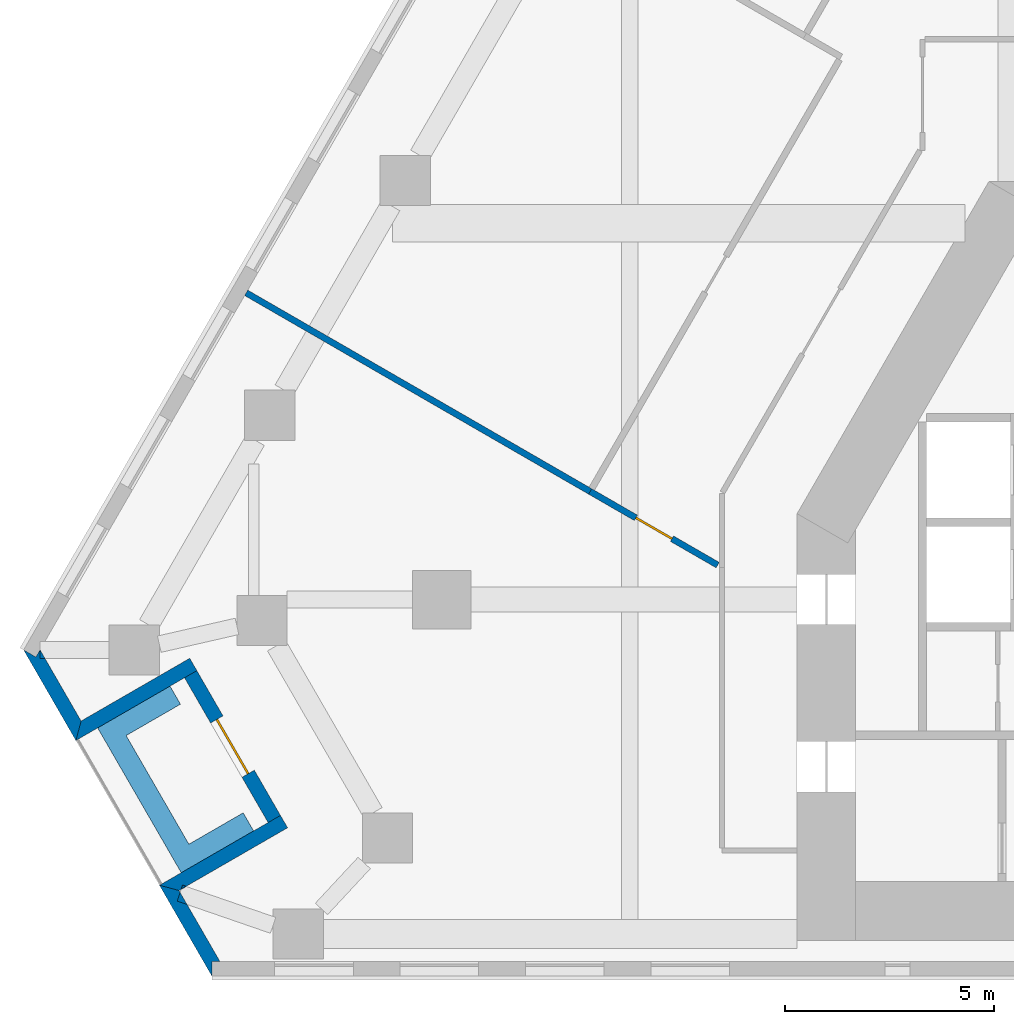
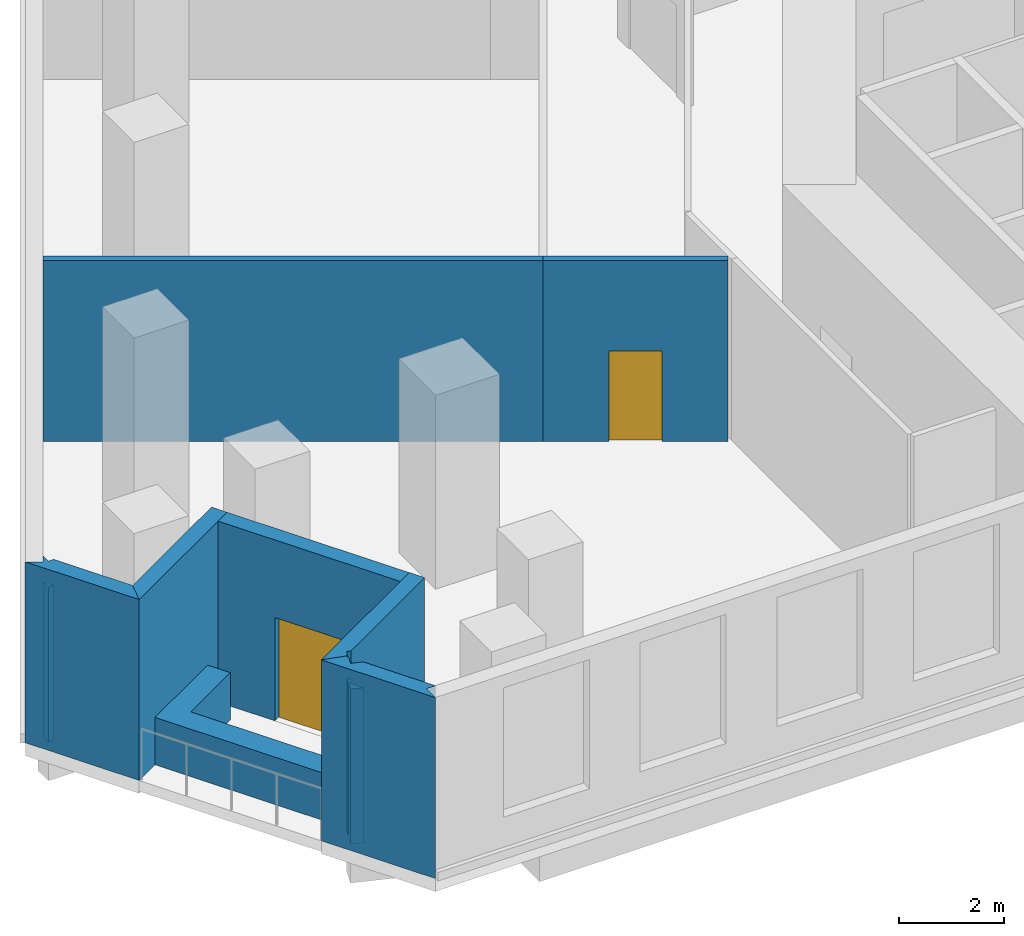
# One storey, part 3 of 14: 11 walls, 2 doors, 2 openings.
"""IFC4 building model written with IfcOpenShell, lengths in metres."""

from ifc_helpers import new_model, si_unit, direction, frame, frame_2d, origin, place, context, subcontext, project, spatial, polyline, rectangle, outline, extrude, material, layer, layer_set, type_object, element, fill, save


model = new_model("IFC4")

# Units and contexts
model_context = context("Model", 3, precision=1e-05, world=origin(), true_north=direction((0.0, 1.0)))
body_context = subcontext(model_context, "Body", "Model", "MODEL_VIEW")
ifc_project = project(units=[si_unit("LENGTHUNIT", "METRE"), si_unit("AREAUNIT", "SQUARE_METRE"), si_unit("VOLUMEUNIT", "CUBIC_METRE"), si_unit("PLANEANGLEUNIT", "RADIAN"), si_unit("MASSUNIT", "GRAM", prefix="KILO")], contexts=[model_context])

# Site, building, storey
site_placement = place(None, origin())
site = spatial("IfcSite", under=ifc_project, at=site_placement, CompositionType="ELEMENT")
building_placement = place(site_placement, origin())
building = spatial("IfcBuilding", under=site, at=building_placement, Name="Fogline Exchange Tower", CompositionType="ELEMENT")
storey_placement = place(building_placement, frame((0.0, 0.0, 29.5)))
storey = spatial("IfcBuildingStorey", under=building, at=storey_placement, Name="L05", CompositionType="ELEMENT", Elevation=29.5)

# Walls
ifc_material_1 = material(Name="Brick masonry", Category="masonry")
ifc_layer_1 = layer(ifc_material_1, 0.340087890625)
ifc_layer_set_1 = layer_set([ifc_layer_1], Name="FW1")
wall_type_1 = type_object("IfcWallType", Name="FW1", PredefinedType="SOLIDWALL", material=ifc_layer_set_1)
wall_1_placement = place(storey_placement, origin())
element("IfcWall", 1, at=wall_1_placement, inside=storey, type_object=wall_type_1, Name="Brick wall L05 SW-c1", PredefinedType="SOLIDWALL", context=body_context, shape_type="SweptSolid", body=[
    extrude(outline(polyline([(-31.9912109375, 7.59423828125), (-32.107421875, 7.59423828125), (-32.107421875, 7.79541015625), (-31.9912109375, 7.59423828125)])), origin(), (0.0, 0.0, 1.0), 3.60009765625),
])
wall_2_placement = place(storey_placement, origin())
element("IfcWall", 2, at=wall_2_placement, inside=storey, type_object=wall_type_1, Name="Brick wall L05 SW-c1", PredefinedType="SOLIDWALL", context=body_context, shape_type="SweptSolid", body=[
    extrude(outline(polyline([(-32.5009765625, 7.794921875), (-32.500732421875, 7.79541015625), (-32.205810546875, 7.625), (-32.107421875, 7.79541015625), (-32.107421875, 7.59423828125), (-31.9912109375, 7.59423828125), (-31.125, 6.09375), (-31.249755859375, 5.6279296875), (-31.25, 5.6279296875), (-32.5009765625, 7.794921875)])), origin(), (0.0, 0.0, 1.0), 4.199951171875),
])
wall_3_placement = place(storey_placement, origin())
element("IfcWall", 3, at=wall_3_placement, inside=storey, type_object=wall_type_1, Name="Brick wall L05 SW-s1", PredefinedType="SOLIDWALL", context=body_context, shape_type="SweptSolid", body=[
    extrude(outline(polyline([(-28.52734375, 7.594482421875), (-28.356689453125, 7.298828125), (-28.651611328125, 7.128662109375), (-31.25048828125, 5.628173828125), (-31.250732421875, 5.62841796875), (-31.1259765625, 6.093994140625), (-28.52734375, 7.594482421875)])), origin(), (0.0, 0.0, 1.0), 4.199951171875),
])

# Wall, opening, door
wall_4_placement = place(storey_placement, frame((-28.504638671875, 7.214111328125, 0.0), z_axis=(0.0, 0.0, 1.0), x_axis=(0.49999894854, -0.866026010844, 0.0)))
wall_4 = element("IfcWall", 4, at=wall_4_placement, inside=storey, type_object=wall_type_1, Name="Brick wall L05 SW-bk", PredefinedType="SOLIDWALL", context=body_context, shape_type="SweptSolid", body=[
    extrude(rectangle(XDim=4.0, YDim=0.340087890625, at=frame_2d((2.0, 0.0))), origin(), (0.0, 0.0, 1.0), 4.199951171875),
])
opening_1_placement = place(wall_4_placement, frame((1.25, 0.0, 0.0)))
opening_1 = element("IfcOpeningElement", 5, at=opening_1_placement, cuts=wall_4, Name="Opening T01-E021", PredefinedType="OPENING", context=body_context, shape_type="SweptSolid", body=[
    extrude(rectangle(XDim=1.5, YDim=2.39990234375, at=frame_2d((0.75, 1.199951171875))), frame((0.0, 0.18017578125, 0.0), z_axis=(0.0, -1.0, 0.0), x_axis=(1.0, 0.0, 0.0)), (0.0, 0.0, 1.0), 0.360107421875),
])
ifc_material_2 = material(Name="Aluminium and glass", Category="aluminium")
door_type_1 = type_object("IfcDoorType", Name="ED4", OperationType="SINGLE_SWING_LEFT", PredefinedType="DOOR", material=ifc_material_2)
door_1_placement = place(opening_1_placement, frame((1.5, 0.0, 0.0), z_axis=(0.0, 0.0, 1.0), x_axis=(-1.0, 0.0, 0.0)))
door_1 = element("IfcDoor", 6, at=door_1_placement, inside=storey, type_object=door_type_1, Name="Balcony door L05 SW", OperationType="DOUBLE_DOOR_SINGLE_SWING", OverallHeight=2.39990234375, OverallWidth=1.5, PredefinedType="DOOR", context=body_context, shape_type="SweptSolid", body=[
    extrude(rectangle(XDim=1.5, YDim=2.39990234375, at=frame_2d((0.75, 1.199951171875))), frame((0.0, 0.02490234375, 0.0), z_axis=(0.0, -1.0, 0.0), x_axis=(1.0, 0.0, 0.0)), (0.0, 0.0, 1.0), 0.050048828125),
])
fill(opening_1, door_1)

# Walls
wall_5_placement = place(storey_placement, origin())
element("IfcWall", 7, at=wall_5_placement, inside=storey, type_object=wall_type_1, Name="Brick wall L05 SW-s2", PredefinedType="SOLIDWALL", context=body_context, shape_type="SweptSolid", body=[
    extrude(outline(polyline([(-28.7294921875, 2.072265625), (-28.697265625, 2.16552734375), (-28.616455078125, 2.1376953125), (-28.7294921875, 2.072265625)])), origin(), (0.0, 0.0, 1.0), 3.60009765625),
])
wall_6_placement = place(storey_placement, origin())
element("IfcWall", 8, at=wall_6_placement, inside=storey, type_object=wall_type_1, Name="Brick wall L05 SW-s2", PredefinedType="SOLIDWALL", context=body_context, shape_type="SweptSolid", body=[
    extrude(outline(polyline([(-26.652099609375, 3.66552734375), (-26.357177734375, 3.8359375), (-26.186767578125, 3.540283203125), (-28.616455078125, 2.1376953125), (-28.697265625, 2.16552734375), (-28.7294921875, 2.072265625), (-28.785400390625, 2.0400390625), (-29.251220703125, 2.164794921875), (-29.251220703125, 2.1650390625), (-26.652099609375, 3.66552734375)])), origin(), (0.0, 0.0, 1.0), 4.199951171875),
])
wall_7_placement = place(storey_placement, origin())
element("IfcWall", 9, at=wall_7_placement, inside=storey, type_object=wall_type_1, Name="Brick wall L05 SW-c2", PredefinedType="SOLIDWALL", context=body_context, shape_type="SweptSolid", body=[
    extrude(outline(polyline([(-28.591552734375, 1.705810546875), (-28.827880859375, 1.787353515625), (-28.757080078125, 1.992431640625), (-28.591552734375, 1.705810546875)])), origin(), (0.0, 0.0, 1.0), 3.60009765625),
])
wall_8_placement = place(storey_placement, origin())
element("IfcWall", 10, at=wall_8_placement, inside=storey, type_object=wall_type_1, Name="Brick wall L05 SW-c2", PredefinedType="SOLIDWALL", context=body_context, shape_type="SweptSolid", body=[
    extrude(outline(polyline([(-27.99951171875, 0.33935546875), (-27.99951171875, -0.0009765625), (-28.0, -0.001220703125), (-29.2509765625, 2.165771484375), (-29.2509765625, 2.166015625), (-28.78515625, 2.041015625), (-28.757080078125, 1.992431640625), (-28.827880859375, 1.787353515625), (-28.591552734375, 1.705810546875), (-27.802734375, 0.33935546875), (-27.99951171875, 0.33935546875)])), origin(), (0.0, 0.0, 1.0), 4.199951171875),
])
ifc_material_3 = material(Name="Concrete C30", Category="concrete")
ifc_layer_2 = layer(ifc_material_3, 0.199951171875)
ifc_layer_set_2 = layer_set([ifc_layer_2], Name="PL1")
wall_type_2 = type_object("IfcWallType", Name="PL1", PredefinedType="USERDEFINED", material=ifc_layer_set_2)
wall_9_placement = place(storey_placement, origin())
element("IfcWall", 11, at=wall_9_placement, inside=storey, type_object=wall_type_2, Name="PLANTER balcony L05 SW", ObjectType="PLANTER", PredefinedType="USERDEFINED", context=body_context, shape_type="SweptSolid", body=[
    extrude(outline(polyline([(-27.248291015625, 3.898193359375), (-28.54736328125, 3.148193359375), (-30.04736328125, 5.74609375), (-28.748291015625, 6.49609375), (-28.998291015625, 6.92919921875), (-30.73046875, 5.92919921875), (-30.48046875, 5.49609375), (-28.73046875, 2.465087890625), (-28.29736328125, 2.715087890625), (-28.29736328125, 2.715087890625), (-26.998291015625, 3.465087890625), (-27.248291015625, 3.898193359375)])), origin(), (0.0, 0.0, 1.0), 1.10009765625),
])

# Wall, opening, door
ifc_material_4 = material(Name="Plasterboard demising partition with mineral wool and acoustic board")
ifc_layer_3 = layer(ifc_material_4, 0.14990234375)
ifc_layer_set_3 = layer_set([ifc_layer_3], Name="PW3")
wall_type_3 = type_object("IfcWallType", Name="PW3", PredefinedType="PARTITIONING", material=ifc_layer_set_3)
wall_10_placement = place(storey_placement, frame((-15.900390625, 9.823974609375, 0.0), z_axis=(0.0, 0.0, 1.0), x_axis=(-0.866058575552, 0.499942540411, 0.0)))
wall_10 = element("IfcWall", 12, at=wall_10_placement, inside=storey, type_object=wall_type_3, Name="wall-L05-W035", PredefinedType="PARTITIONING", context=body_context, shape_type="SweptSolid", body=[
    extrude(rectangle(XDim=3.52099609375, YDim=0.14990234375, at=frame_2d((1.760498046875, 0.0))), origin(), (0.0, 0.0, 1.0), 4.199951171875),
])
opening_2_placement = place(wall_10_placement, frame((1.260498046875, 0.0, 0.0)))
opening_2 = element("IfcOpeningElement", 13, at=opening_2_placement, cuts=wall_10, Name="Opening T01-D013", PredefinedType="OPENING", context=body_context, shape_type="SweptSolid", body=[
    extrude(rectangle(XDim=1.0, YDim=2.10009765625, at=frame_2d((0.5, 1.050048828125))), frame((0.0, 0.0849609375, 0.0), z_axis=(0.0, -1.0, 0.0), x_axis=(1.0, 0.0, 0.0)), (0.0, 0.0, 1.0), 0.169921875),
])
ifc_material_5 = material(Name="Fire-rated timber door leaf with steel frame", Category="steel")
door_type_2 = type_object("IfcDoorType", Name="D3", OperationType="SINGLE_SWING_LEFT", PredefinedType="DOOR", material=ifc_material_5)
door_2_placement = place(opening_2_placement, origin())
door_2 = element("IfcDoor", 14, at=door_2_placement, inside=storey, type_object=door_type_2, Name="door-L05-D013", OperationType="SINGLE_SWING_RIGHT", OverallHeight=2.10009765625, OverallWidth=1.0, PredefinedType="DOOR", context=body_context, shape_type="SweptSolid", body=[
    extrude(rectangle(XDim=1.0, YDim=2.10009765625, at=frame_2d((0.5, 1.050048828125))), frame((0.0, 0.02490234375, 0.0), z_axis=(0.0, -1.0, 0.0), x_axis=(1.0, 0.0, 0.0)), (0.0, 0.0, 1.0), 0.050048828125),
])
fill(opening_2, door_2)

# Wall
wall_11_placement = place(storey_placement, frame((-18.94970703125, 11.584228515625, 0.0), z_axis=(0.0, 0.0, 1.0), x_axis=(-0.866020389056, 0.500008685663, 0.0)))
element("IfcWall", 15, at=wall_11_placement, inside=storey, type_object=wall_type_3, Name="wall-L05-W044", PredefinedType="PARTITIONING", context=body_context, shape_type="SweptSolid", body=[
    extrude(rectangle(XDim=9.499755859375, YDim=0.14990234375, at=frame_2d((4.75, 0.0))), origin(), (0.0, 0.0, 1.0), 4.199951171875),
])

save(model, "model.ifc")
